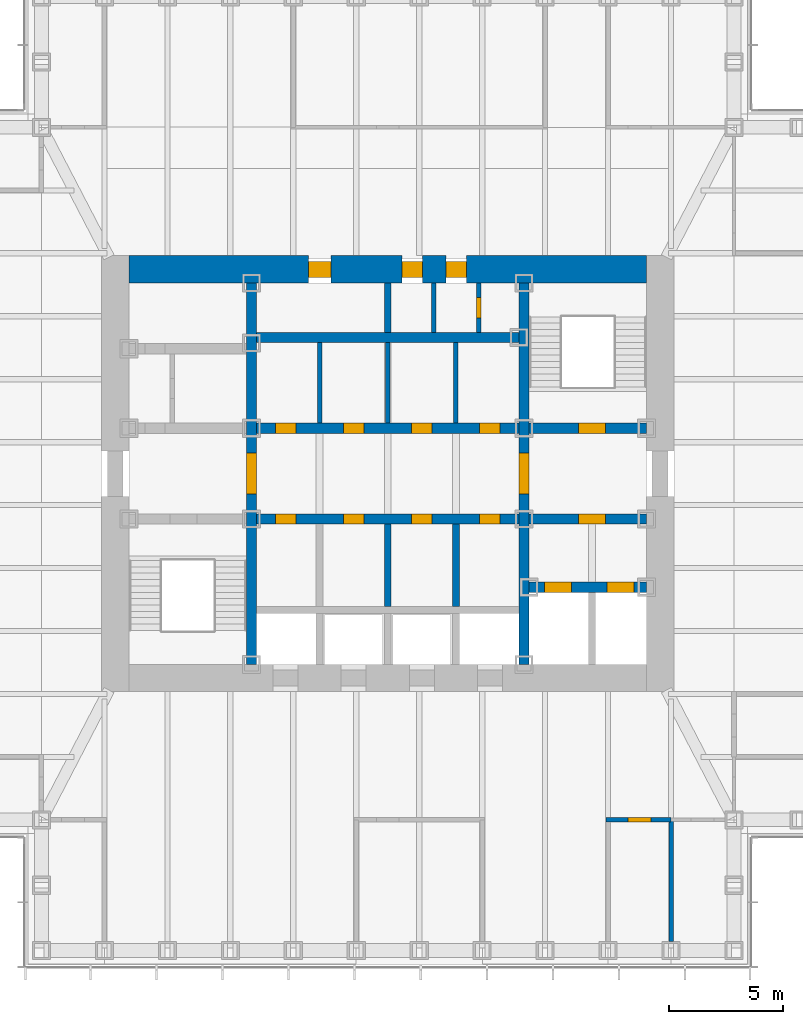
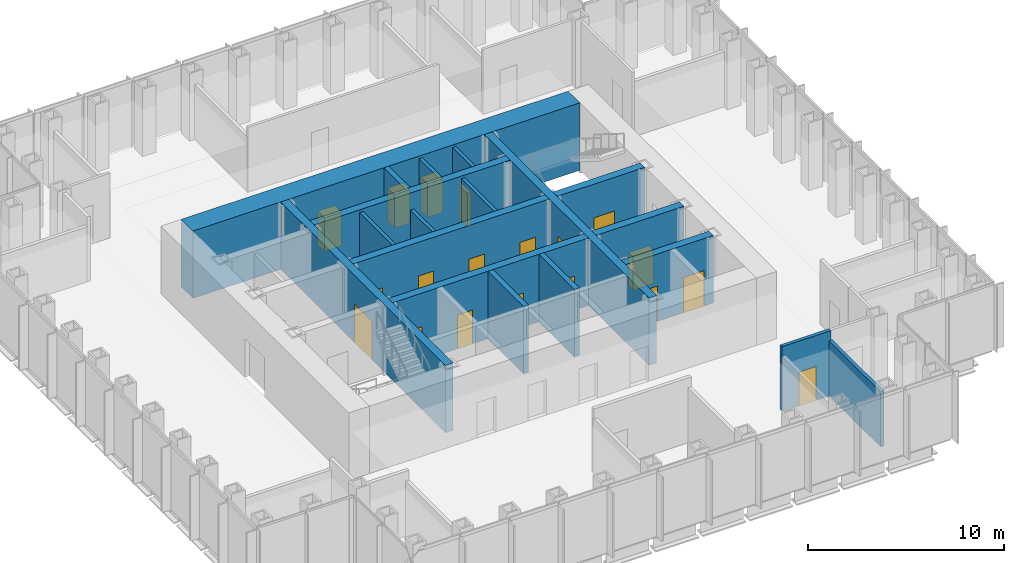
# One storey, part 9 of 16: 19 doors, 19 walls, 19 openings.
"""IFC4 building model written with IfcOpenShell, lengths in metres."""

from ifc_helpers import new_model, si_unit, direction, frame, frame_2d, origin, place, context, subcontext, project, spatial, rectangle, extrude, material, layer, layer_set, type_object, element, fill, save


model = new_model("IFC4")

# Units and contexts
model_context = context("Model", 3, precision=1e-05, world=origin(), true_north=direction((0.0, 1.0)))
body_context = subcontext(model_context, "Body", "Model", "MODEL_VIEW")
ifc_project = project(units=[si_unit("LENGTHUNIT", "METRE"), si_unit("AREAUNIT", "SQUARE_METRE"), si_unit("VOLUMEUNIT", "CUBIC_METRE"), si_unit("PLANEANGLEUNIT", "RADIAN"), si_unit("MASSUNIT", "GRAM", prefix="KILO")], contexts=[model_context])

# Site, building, storey
site_placement = place(None, origin())
site = spatial("IfcSite", under=ifc_project, at=site_placement, CompositionType="ELEMENT")
building_placement = place(site_placement, origin())
building = spatial("IfcBuilding", under=site, at=building_placement, Name="Daluyong Arena Tower", CompositionType="ELEMENT")
storey_placement = place(building_placement, frame((0.0, 0.0, 258.699951171875)))
storey = spatial("IfcBuildingStorey", under=building, at=storey_placement, Name="L58", CompositionType="ELEMENT", Elevation=258.699951171875)

# Wall, opening, door
ifc_material_1 = material(Name="Concrete fc' 45 MPa", Category="concrete")
ifc_layer_1 = layer(ifc_material_1, 0.449951171875)
ifc_layer_set_1 = layer_set([ifc_layer_1], Name="Concrete fc' 45 MPa")
wall_type_1 = type_object("IfcWallType", Name="Core inner wall 450", PredefinedType="SHEAR", material=ifc_layer_set_1)
wall_1_placement = place(storey_placement, frame((50.0, 71.60009765625, 0.0), z_axis=(0.0, 0.0, 1.0), x_axis=(0.0, 1.0, 0.0)))
wall_1 = element("IfcWall", 1, at=wall_1_placement, inside=storey, type_object=wall_type_1, Name="core inner wall at L58", PredefinedType="SHEAR", context=body_context, shape_type="SweptSolid", body=[
    extrude(rectangle(XDim=16.7998046875, YDim=0.449951171875, at=frame_2d((8.39990234375, 0.0))), origin(), (0.0, 0.0, 1.0), 4.199951171875),
])
opening_1_placement = place(wall_1_placement, frame((7.5, 0.0, 0.0)))
opening_1 = element("IfcOpeningElement", 2, at=opening_1_placement, cuts=wall_1, Name="Opening 58020", PredefinedType="OPENING", context=body_context, shape_type="SweptSolid", body=[
    extrude(rectangle(XDim=1.800048828125, YDim=2.39990234375, at=frame_2d((0.89990234375, 1.199951171875))), frame((0.0, 0.23486328125, 0.0), z_axis=(0.0, -1.0, 0.0), x_axis=(1.0, 0.0, 0.0)), (0.0, 0.0, 1.0), 0.469970703125),
])
ifc_material_2 = material(Name="Steel door, fire rated", Category="steel")
door_type_1 = type_object("IfcDoorType", Name="Lift lobby opening door 1800", OperationType="DOUBLE_DOOR_SINGLE_SWING", PredefinedType="DOOR", material=ifc_material_2)
door_1_placement = place(opening_1_placement, origin())
door_1 = element("IfcDoor", 3, at=door_1_placement, inside=storey, type_object=door_type_1, Name="lift lobby door west 58020", OperationType="DOUBLE_DOOR_SINGLE_SWING", OverallHeight=2.39990234375, OverallWidth=1.800048828125, PredefinedType="DOOR", context=body_context, shape_type="SweptSolid", body=[
    extrude(rectangle(XDim=1.800048828125, YDim=2.39990234375, at=frame_2d((0.89990234375, 1.199951171875))), frame((0.0, 0.224609375, 0.0), z_axis=(0.0, -1.0, 0.0), x_axis=(1.0, 0.0, 0.0)), (0.0, 0.0, 1.0), 0.449462890625),
])
fill(opening_1, door_1)

wall_2_placement = place(storey_placement, frame((62.0, 71.60009765625, 0.0), z_axis=(0.0, 0.0, 1.0), x_axis=(0.0, 1.0, 0.0)))
wall_2 = element("IfcWall", 4, at=wall_2_placement, inside=storey, type_object=wall_type_1, Name="core inner wall at L58", PredefinedType="SHEAR", context=body_context, shape_type="SweptSolid", body=[
    extrude(rectangle(XDim=16.7998046875, YDim=0.449951171875, at=frame_2d((8.39990234375, 0.0))), origin(), (0.0, 0.0, 1.0), 4.199951171875),
])
opening_2_placement = place(wall_2_placement, frame((7.5, 0.0, 0.0)))
opening_2 = element("IfcOpeningElement", 5, at=opening_2_placement, cuts=wall_2, Name="Opening 58021", PredefinedType="OPENING", context=body_context, shape_type="SweptSolid", body=[
    extrude(rectangle(XDim=1.800048828125, YDim=2.39990234375, at=frame_2d((0.89990234375, 1.199951171875))), frame((0.0, 0.23486328125, 0.0), z_axis=(0.0, -1.0, 0.0), x_axis=(1.0, 0.0, 0.0)), (0.0, 0.0, 1.0), 0.469970703125),
])
door_2_placement = place(opening_2_placement, origin())
door_2 = element("IfcDoor", 6, at=door_2_placement, inside=storey, type_object=door_type_1, Name="lift lobby door east 58021", OperationType="DOUBLE_DOOR_SINGLE_SWING", OverallHeight=2.39990234375, OverallWidth=1.800048828125, PredefinedType="DOOR", context=body_context, shape_type="SweptSolid", body=[
    extrude(rectangle(XDim=1.800048828125, YDim=2.39990234375, at=frame_2d((0.89990234375, 1.199951171875))), frame((0.0, 0.224609375, 0.0), z_axis=(0.0, -1.0, 0.0), x_axis=(1.0, 0.0, 0.0)), (0.0, 0.0, 1.0), 0.449462890625),
])
fill(opening_2, door_2)

# Wall, openings, doors
wall_3_placement = place(storey_placement, frame((62.22509765625, 75.0, 0.0), z_axis=(0.0, 0.0, 1.0), x_axis=(1.0, 0.0, 0.0)))
wall_3 = element("IfcWall", 7, at=wall_3_placement, inside=storey, type_object=wall_type_1, Name="core inner wall at L58", PredefinedType="SHEAR", context=body_context, shape_type="SweptSolid", body=[
    extrude(rectangle(XDim=5.1748046875, YDim=0.449951171875, at=frame_2d((2.58740234375, 0.0))), origin(), (0.0, 0.0, 1.0), 4.199951171875),
])
opening_3_placement = place(wall_3_placement, frame((0.675048828125, 0.0, 0.0)))
opening_3 = element("IfcOpeningElement", 8, at=opening_3_placement, cuts=wall_3, Name="Opening 58027", PredefinedType="OPENING", context=body_context, shape_type="SweptSolid", body=[
    extrude(rectangle(XDim=1.199951171875, YDim=2.199951171875, at=frame_2d((0.60009765625, 1.10009765625))), frame((0.0, 0.23486328125, 0.0), z_axis=(0.0, -1.0, 0.0), x_axis=(1.0, 0.0, 0.0)), (0.0, 0.0, 1.0), 0.469970703125),
])
opening_4_placement = place(wall_3_placement, frame((3.425048828125, 0.0, 0.0)))
opening_4 = element("IfcOpeningElement", 9, at=opening_4_placement, cuts=wall_3, Name="Opening 58028", PredefinedType="OPENING", context=body_context, shape_type="SweptSolid", body=[
    extrude(rectangle(XDim=1.199951171875, YDim=2.199951171875, at=frame_2d((0.60009765625, 1.10009765625))), frame((0.0, 0.23486328125, 0.0), z_axis=(0.0, -1.0, 0.0), x_axis=(1.0, 0.0, 0.0)), (0.0, 0.0, 1.0), 0.469970703125),
])
ifc_material_3 = material(Name="Steel door, fire rated", Category="steel")
door_type_2 = type_object("IfcDoorType", Name="Firefighting lift landing door 1200", OperationType="SLIDING_TO_LEFT", PredefinedType="DOOR", material=ifc_material_3)
door_3_placement = place(opening_3_placement, origin())
door_3 = element("IfcDoor", 10, at=door_3_placement, inside=storey, type_object=door_type_2, Name="firefighting lift landing door F1 58027", OperationType="SLIDING_TO_LEFT", OverallHeight=2.199951171875, OverallWidth=1.199951171875, PredefinedType="DOOR", context=body_context, shape_type="SweptSolid", body=[
    extrude(rectangle(XDim=1.199951171875, YDim=2.199951171875, at=frame_2d((0.60009765625, 1.10009765625))), frame((0.0, 0.224609375, 0.0), z_axis=(0.0, -1.0, 0.0), x_axis=(1.0, 0.0, 0.0)), (0.0, 0.0, 1.0), 0.449462890625),
])
fill(opening_3, door_3)
door_4_placement = place(opening_4_placement, origin())
door_4 = element("IfcDoor", 11, at=door_4_placement, inside=storey, type_object=door_type_2, Name="firefighting lift landing door F2 58028", OperationType="SLIDING_TO_LEFT", OverallHeight=2.199951171875, OverallWidth=1.199951171875, PredefinedType="DOOR", context=body_context, shape_type="SweptSolid", body=[
    extrude(rectangle(XDim=1.199951171875, YDim=2.199951171875, at=frame_2d((0.60009765625, 1.10009765625))), frame((0.0, 0.224609375, 0.0), z_axis=(0.0, -1.0, 0.0), x_axis=(1.0, 0.0, 0.0)), (0.0, 0.0, 1.0), 0.449462890625),
])
fill(opening_4, door_4)

# Wall, opening, door
wall_4_placement = place(storey_placement, frame((62.22509765625, 78.0, 0.0), z_axis=(0.0, 0.0, 1.0), x_axis=(1.0, 0.0, 0.0)))
wall_4 = element("IfcWall", 12, at=wall_4_placement, inside=storey, type_object=wall_type_1, Name="core inner wall at L58", PredefinedType="SHEAR", context=body_context, shape_type="SweptSolid", body=[
    extrude(rectangle(XDim=5.1748046875, YDim=0.449951171875, at=frame_2d((2.58740234375, 0.0))), origin(), (0.0, 0.0, 1.0), 4.199951171875),
])
opening_5_placement = place(wall_4_placement, frame((2.175048828125, 0.0, 0.0)))
opening_5 = element("IfcOpeningElement", 13, at=opening_5_placement, cuts=wall_4, Name="Opening 58022", PredefinedType="OPENING", context=body_context, shape_type="SweptSolid", body=[
    extrude(rectangle(XDim=1.199951171875, YDim=2.10009765625, at=frame_2d((0.60009765625, 1.050048828125))), frame((0.0, 0.23486328125, 0.0), z_axis=(0.0, -1.0, 0.0), x_axis=(1.0, 0.0, 0.0)), (0.0, 0.0, 1.0), 0.469970703125),
])
ifc_material_4 = material(Name="Steel door, fire rated", Category="steel")
door_type_3 = type_object("IfcDoorType", Name="Firefighting lobby door 1200", OperationType="SINGLE_SWING_RIGHT", PredefinedType="DOOR", material=ifc_material_4)
door_5_placement = place(opening_5_placement, origin())
door_5 = element("IfcDoor", 14, at=door_5_placement, inside=storey, type_object=door_type_3, Name="firefighting lobby door 58022", OperationType="SINGLE_SWING_RIGHT", OverallHeight=2.10009765625, OverallWidth=1.199951171875, PredefinedType="DOOR", context=body_context, shape_type="SweptSolid", body=[
    extrude(rectangle(XDim=1.199951171875, YDim=2.10009765625, at=frame_2d((0.60009765625, 1.050048828125))), frame((0.0, 0.224609375, 0.0), z_axis=(0.0, -1.0, 0.0), x_axis=(1.0, 0.0, 0.0)), (0.0, 0.0, 1.0), 0.449462890625),
])
fill(opening_5, door_5)

wall_5_placement = place(storey_placement, frame((62.22509765625, 82.0, 0.0), z_axis=(0.0, 0.0, 1.0), x_axis=(1.0, 0.0, 0.0)))
wall_5 = element("IfcWall", 15, at=wall_5_placement, inside=storey, type_object=wall_type_1, Name="core inner wall at L58", PredefinedType="SHEAR", context=body_context, shape_type="SweptSolid", body=[
    extrude(rectangle(XDim=5.1748046875, YDim=0.449951171875, at=frame_2d((2.58740234375, 0.0))), origin(), (0.0, 0.0, 1.0), 4.199951171875),
])
opening_6_placement = place(wall_5_placement, frame((2.175048828125, 0.0, 0.0)))
opening_6 = element("IfcOpeningElement", 16, at=opening_6_placement, cuts=wall_5, Name="Opening 58017", PredefinedType="OPENING", context=body_context, shape_type="SweptSolid", body=[
    extrude(rectangle(XDim=1.199951171875, YDim=2.10009765625, at=frame_2d((0.60009765625, 1.050048828125))), frame((0.0, 0.23486328125, 0.0), z_axis=(0.0, -1.0, 0.0), x_axis=(1.0, 0.0, 0.0)), (0.0, 0.0, 1.0), 0.469970703125),
])
ifc_material_5 = material(Name="Steel door, fire rated", Category="steel")
door_type_4 = type_object("IfcDoorType", Name="Stair door 1200", OperationType="SINGLE_SWING_LEFT", PredefinedType="DOOR", material=ifc_material_5)
door_6_placement = place(opening_6_placement, origin())
door_6 = element("IfcDoor", 17, at=door_6_placement, inside=storey, type_object=door_type_4, Name="stair B door 58017", OperationType="SINGLE_SWING_LEFT", OverallHeight=2.10009765625, OverallWidth=1.199951171875, PredefinedType="DOOR", context=body_context, shape_type="SweptSolid", body=[
    extrude(rectangle(XDim=1.199951171875, YDim=2.10009765625, at=frame_2d((0.60009765625, 1.050048828125))), frame((0.0, 0.224609375, 0.0), z_axis=(0.0, -1.0, 0.0), x_axis=(1.0, 0.0, 0.0)), (0.0, 0.0, 1.0), 0.449462890625),
])
fill(opening_6, door_6)

# Wall, openings, doors
wall_6_placement = place(storey_placement, frame((50.22509765625, 78.0, 0.0), z_axis=(0.0, 0.0, 1.0), x_axis=(1.0, 0.0, 0.0)))
wall_6 = element("IfcWall", 18, at=wall_6_placement, inside=storey, type_object=wall_type_1, Name="core inner wall at L58", PredefinedType="SHEAR", context=body_context, shape_type="SweptSolid", body=[
    extrude(rectangle(XDim=11.5498046875, YDim=0.449951171875, at=frame_2d((5.77490234375, 0.0))), origin(), (0.0, 0.0, 1.0), 4.199951171875),
])
opening_7_placement = place(wall_6_placement, frame((0.824951171875, 0.0, 0.0)))
opening_7 = element("IfcOpeningElement", 19, at=opening_7_placement, cuts=wall_6, Name="Opening 58008", PredefinedType="OPENING", context=body_context, shape_type="SweptSolid", body=[
    extrude(rectangle(XDim=0.89990234375, YDim=2.10009765625, at=frame_2d((0.449951171875, 1.050048828125))), frame((0.0, 0.23486328125, 0.0), z_axis=(0.0, -1.0, 0.0), x_axis=(1.0, 0.0, 0.0)), (0.0, 0.0, 1.0), 0.469970703125),
])
opening_8_placement = place(wall_6_placement, frame((3.824951171875, 0.0, 0.0)))
opening_8 = element("IfcOpeningElement", 20, at=opening_8_placement, cuts=wall_6, Name="Opening 58009", PredefinedType="OPENING", context=body_context, shape_type="SweptSolid", body=[
    extrude(rectangle(XDim=0.89990234375, YDim=2.10009765625, at=frame_2d((0.449951171875, 1.050048828125))), frame((0.0, 0.23486328125, 0.0), z_axis=(0.0, -1.0, 0.0), x_axis=(1.0, 0.0, 0.0)), (0.0, 0.0, 1.0), 0.469970703125),
])
opening_9_placement = place(wall_6_placement, frame((6.824951171875, 0.0, 0.0)))
opening_9 = element("IfcOpeningElement", 21, at=opening_9_placement, cuts=wall_6, Name="Opening 58010", PredefinedType="OPENING", context=body_context, shape_type="SweptSolid", body=[
    extrude(rectangle(XDim=0.89990234375, YDim=2.10009765625, at=frame_2d((0.449951171875, 1.050048828125))), frame((0.0, 0.23486328125, 0.0), z_axis=(0.0, -1.0, 0.0), x_axis=(1.0, 0.0, 0.0)), (0.0, 0.0, 1.0), 0.469970703125),
])
opening_10_placement = place(wall_6_placement, frame((9.824951171875, 0.0, 0.0)))
opening_10 = element("IfcOpeningElement", 22, at=opening_10_placement, cuts=wall_6, Name="Opening 58011", PredefinedType="OPENING", context=body_context, shape_type="SweptSolid", body=[
    extrude(rectangle(XDim=0.89990234375, YDim=2.10009765625, at=frame_2d((0.449951171875, 1.050048828125))), frame((0.0, 0.23486328125, 0.0), z_axis=(0.0, -1.0, 0.0), x_axis=(1.0, 0.0, 0.0)), (0.0, 0.0, 1.0), 0.469970703125),
])
ifc_material_6 = material(Name="Steel door, fire rated", Category="steel")
door_type_5 = type_object("IfcDoorType", Name="Core room door 900", OperationType="SINGLE_SWING_LEFT", PredefinedType="DOOR", material=ifc_material_6)
door_7_placement = place(opening_7_placement, origin())
door_7 = element("IfcDoor", 23, at=door_7_placement, inside=storey, type_object=door_type_5, Name="tea point door 58008", OperationType="SINGLE_SWING_LEFT", OverallHeight=2.10009765625, OverallWidth=0.89990234375, PredefinedType="DOOR", context=body_context, shape_type="SweptSolid", body=[
    extrude(rectangle(XDim=0.89990234375, YDim=2.10009765625, at=frame_2d((0.449951171875, 1.050048828125))), frame((0.0, 0.224609375, 0.0), z_axis=(0.0, -1.0, 0.0), x_axis=(1.0, 0.0, 0.0)), (0.0, 0.0, 1.0), 0.449462890625),
])
fill(opening_7, door_7)
door_8_placement = place(opening_8_placement, origin())
door_8 = element("IfcDoor", 24, at=door_8_placement, inside=storey, type_object=door_type_5, Name="staff pantry door 58009", OperationType="SINGLE_SWING_LEFT", OverallHeight=2.10009765625, OverallWidth=0.89990234375, PredefinedType="DOOR", context=body_context, shape_type="SweptSolid", body=[
    extrude(rectangle(XDim=0.89990234375, YDim=2.10009765625, at=frame_2d((0.449951171875, 1.050048828125))), frame((0.0, 0.224609375, 0.0), z_axis=(0.0, -1.0, 0.0), x_axis=(1.0, 0.0, 0.0)), (0.0, 0.0, 1.0), 0.449462890625),
])
fill(opening_8, door_8)
ifc_material_7 = material(Name="Steel door, fire rated", Category="steel")
door_type_6 = type_object("IfcDoorType", Name="Core store door 900", OperationType="SINGLE_SWING_LEFT", PredefinedType="DOOR", material=ifc_material_7)
door_9_placement = place(opening_9_placement, origin())
door_9 = element("IfcDoor", 25, at=door_9_placement, inside=storey, type_object=door_type_6, Name="tenant store door 58010", OperationType="SINGLE_SWING_LEFT", OverallHeight=2.10009765625, OverallWidth=0.89990234375, PredefinedType="DOOR", context=body_context, shape_type="SweptSolid", body=[
    extrude(rectangle(XDim=0.89990234375, YDim=2.10009765625, at=frame_2d((0.449951171875, 1.050048828125))), frame((0.0, 0.224609375, 0.0), z_axis=(0.0, -1.0, 0.0), x_axis=(1.0, 0.0, 0.0)), (0.0, 0.0, 1.0), 0.449462890625),
])
fill(opening_9, door_9)
door_10_placement = place(opening_10_placement, origin())
door_10 = element("IfcDoor", 26, at=door_10_placement, inside=storey, type_object=door_type_6, Name="stationery store door 58011", OperationType="SINGLE_SWING_LEFT", OverallHeight=2.10009765625, OverallWidth=0.89990234375, PredefinedType="DOOR", context=body_context, shape_type="SweptSolid", body=[
    extrude(rectangle(XDim=0.89990234375, YDim=2.10009765625, at=frame_2d((0.449951171875, 1.050048828125))), frame((0.0, 0.224609375, 0.0), z_axis=(0.0, -1.0, 0.0), x_axis=(1.0, 0.0, 0.0)), (0.0, 0.0, 1.0), 0.449462890625),
])
fill(opening_10, door_10)

wall_7_placement = place(storey_placement, frame((50.22509765625, 82.0, 0.0), z_axis=(0.0, 0.0, 1.0), x_axis=(1.0, 0.0, 0.0)))
wall_7 = element("IfcWall", 27, at=wall_7_placement, inside=storey, type_object=wall_type_1, Name="core inner wall at L58", PredefinedType="SHEAR", context=body_context, shape_type="SweptSolid", body=[
    extrude(rectangle(XDim=11.5498046875, YDim=0.449951171875, at=frame_2d((5.77490234375, 0.0))), origin(), (0.0, 0.0, 1.0), 4.199951171875),
])
opening_11_placement = place(wall_7_placement, frame((0.824951171875, 0.0, 0.0)))
opening_11 = element("IfcOpeningElement", 28, at=opening_11_placement, cuts=wall_7, Name="Opening 58012", PredefinedType="OPENING", context=body_context, shape_type="SweptSolid", body=[
    extrude(rectangle(XDim=0.89990234375, YDim=2.10009765625, at=frame_2d((0.449951171875, 1.050048828125))), frame((0.0, 0.23486328125, 0.0), z_axis=(0.0, -1.0, 0.0), x_axis=(1.0, 0.0, 0.0)), (0.0, 0.0, 1.0), 0.469970703125),
])
opening_12_placement = place(wall_7_placement, frame((3.824951171875, 0.0, 0.0)))
opening_12 = element("IfcOpeningElement", 29, at=opening_12_placement, cuts=wall_7, Name="Opening 58013", PredefinedType="OPENING", context=body_context, shape_type="SweptSolid", body=[
    extrude(rectangle(XDim=0.89990234375, YDim=2.10009765625, at=frame_2d((0.449951171875, 1.050048828125))), frame((0.0, 0.23486328125, 0.0), z_axis=(0.0, -1.0, 0.0), x_axis=(1.0, 0.0, 0.0)), (0.0, 0.0, 1.0), 0.469970703125),
])
opening_13_placement = place(wall_7_placement, frame((6.824951171875, 0.0, 0.0)))
opening_13 = element("IfcOpeningElement", 30, at=opening_13_placement, cuts=wall_7, Name="Opening 58014", PredefinedType="OPENING", context=body_context, shape_type="SweptSolid", body=[
    extrude(rectangle(XDim=0.89990234375, YDim=2.10009765625, at=frame_2d((0.449951171875, 1.050048828125))), frame((0.0, 0.23486328125, 0.0), z_axis=(0.0, -1.0, 0.0), x_axis=(1.0, 0.0, 0.0)), (0.0, 0.0, 1.0), 0.469970703125),
])
opening_14_placement = place(wall_7_placement, frame((9.824951171875, 0.0, 0.0)))
opening_14 = element("IfcOpeningElement", 31, at=opening_14_placement, cuts=wall_7, Name="Opening 58015", PredefinedType="OPENING", context=body_context, shape_type="SweptSolid", body=[
    extrude(rectangle(XDim=0.89990234375, YDim=2.10009765625, at=frame_2d((0.449951171875, 1.050048828125))), frame((0.0, 0.23486328125, 0.0), z_axis=(0.0, -1.0, 0.0), x_axis=(1.0, 0.0, 0.0)), (0.0, 0.0, 1.0), 0.469970703125),
])
door_11_placement = place(opening_11_placement, origin())
door_11 = element("IfcDoor", 32, at=door_11_placement, inside=storey, type_object=door_type_5, Name="mail room door 58012", OperationType="SINGLE_SWING_LEFT", OverallHeight=2.10009765625, OverallWidth=0.89990234375, PredefinedType="DOOR", context=body_context, shape_type="SweptSolid", body=[
    extrude(rectangle(XDim=0.89990234375, YDim=2.10009765625, at=frame_2d((0.449951171875, 1.050048828125))), frame((0.0, 0.224609375, 0.0), z_axis=(0.0, -1.0, 0.0), x_axis=(1.0, 0.0, 0.0)), (0.0, 0.0, 1.0), 0.449462890625),
])
fill(opening_11, door_11)
door_12_placement = place(opening_12_placement, origin())
door_12 = element("IfcDoor", 33, at=door_12_placement, inside=storey, type_object=door_type_5, Name="vending room door 58013", OperationType="SINGLE_SWING_LEFT", OverallHeight=2.10009765625, OverallWidth=0.89990234375, PredefinedType="DOOR", context=body_context, shape_type="SweptSolid", body=[
    extrude(rectangle(XDim=0.89990234375, YDim=2.10009765625, at=frame_2d((0.449951171875, 1.050048828125))), frame((0.0, 0.224609375, 0.0), z_axis=(0.0, -1.0, 0.0), x_axis=(1.0, 0.0, 0.0)), (0.0, 0.0, 1.0), 0.449462890625),
])
fill(opening_12, door_12)
door_13_placement = place(opening_14_placement, origin())
door_13 = element("IfcDoor", 34, at=door_13_placement, inside=storey, type_object=door_type_6, Name="facilities store door 58015", OperationType="SINGLE_SWING_LEFT", OverallHeight=2.10009765625, OverallWidth=0.89990234375, PredefinedType="DOOR", context=body_context, shape_type="SweptSolid", body=[
    extrude(rectangle(XDim=0.89990234375, YDim=2.10009765625, at=frame_2d((0.449951171875, 1.050048828125))), frame((0.0, 0.224609375, 0.0), z_axis=(0.0, -1.0, 0.0), x_axis=(1.0, 0.0, 0.0)), (0.0, 0.0, 1.0), 0.449462890625),
])
fill(opening_14, door_13)
ifc_material_8 = material(Name="Steel door, fire rated", Category="steel")
door_type_7 = type_object("IfcDoorType", Name="Plant room door 900", OperationType="SINGLE_SWING_LEFT", PredefinedType="DOOR", material=ifc_material_8)
door_14_placement = place(opening_13_placement, origin())
door_14 = element("IfcDoor", 35, at=door_14_placement, inside=storey, type_object=door_type_7, Name="comms room door 58014", OperationType="SINGLE_SWING_LEFT", OverallHeight=2.10009765625, OverallWidth=0.89990234375, PredefinedType="DOOR", context=body_context, shape_type="SweptSolid", body=[
    extrude(rectangle(XDim=0.89990234375, YDim=2.10009765625, at=frame_2d((0.449951171875, 1.050048828125))), frame((0.0, 0.224609375, 0.0), z_axis=(0.0, -1.0, 0.0), x_axis=(1.0, 0.0, 0.0)), (0.0, 0.0, 1.0), 0.449462890625),
])
fill(opening_13, door_14)

# Wall
wall_8_placement = place(storey_placement, frame((50.22509765625, 86.0, 0.0), z_axis=(0.0, 0.0, 1.0), x_axis=(1.0, 0.0, 0.0)))
element("IfcWall", 36, at=wall_8_placement, inside=storey, type_object=wall_type_1, Name="core inner wall at L58", PredefinedType="SHEAR", context=body_context, shape_type="SweptSolid", body=[
    extrude(rectangle(XDim=11.5498046875, YDim=0.449951171875, at=frame_2d((5.77490234375, 0.0))), origin(), (0.0, 0.0, 1.0), 4.199951171875),
])

# Wall, openings, doors
ifc_material_9 = material(Name="Concrete fc' 60 MPa", Category="concrete")
ifc_layer_2 = layer(ifc_material_9, 1.199951171875)
ifc_layer_set_2 = layer_set([ifc_layer_2], Name="Concrete fc' 60 MPa")
wall_type_2 = type_object("IfcWallType", Name="Core wall 1200", PredefinedType="SHEAR", material=ifc_layer_set_2)
wall_9_placement = place(storey_placement, frame((44.60009765625, 89.0, 0.0), z_axis=(0.0, 0.0, 1.0), x_axis=(1.0, 0.0, 0.0)))
wall_9 = element("IfcWall", 37, at=wall_9_placement, inside=storey, type_object=wall_type_2, Name="core wall at L58", PredefinedType="SHEAR", context=body_context, shape_type="SweptSolid", body=[
    extrude(rectangle(XDim=22.7998046875, YDim=1.199951171875, at=frame_2d((11.39990234375, 0.0))), origin(), (0.0, 0.0, 1.0), 4.199951171875),
])
opening_15_placement = place(wall_9_placement, frame((7.89990234375, 0.0, 0.0)))
opening_15 = element("IfcOpeningElement", 38, at=opening_15_placement, cuts=wall_9, Name="Opening 58004", PredefinedType="OPENING", context=body_context, shape_type="SweptSolid", body=[
    extrude(rectangle(XDim=1.0, YDim=2.10009765625, at=frame_2d((0.5, 1.050048828125))), frame((0.0, 0.60986328125, 0.0), z_axis=(0.0, -1.0, 0.0), x_axis=(1.0, 0.0, 0.0)), (0.0, 0.0, 1.0), 1.219970703125),
])
opening_16_placement = place(wall_9_placement, frame((12.02490234375, 0.0, 0.0)))
opening_16 = element("IfcOpeningElement", 39, at=opening_16_placement, cuts=wall_9, Name="Opening 58005", PredefinedType="OPENING", context=body_context, shape_type="SweptSolid", body=[
    extrude(rectangle(XDim=0.89990234375, YDim=2.10009765625, at=frame_2d((0.449951171875, 1.050048828125))), frame((0.0, 0.60986328125, 0.0), z_axis=(0.0, -1.0, 0.0), x_axis=(1.0, 0.0, 0.0)), (0.0, 0.0, 1.0), 1.219970703125),
])
opening_17_placement = place(wall_9_placement, frame((13.96240234375, 0.0, 0.0)))
opening_17 = element("IfcOpeningElement", 40, at=opening_17_placement, cuts=wall_9, Name="Opening 58006", PredefinedType="OPENING", context=body_context, shape_type="SweptSolid", body=[
    extrude(rectangle(XDim=0.89990234375, YDim=2.10009765625, at=frame_2d((0.449951171875, 1.050048828125))), frame((0.0, 0.60986328125, 0.0), z_axis=(0.0, -1.0, 0.0), x_axis=(1.0, 0.0, 0.0)), (0.0, 0.0, 1.0), 1.219970703125),
])
ifc_material_10 = material(Name="Timber door", Category="wood")
door_type_8 = type_object("IfcDoorType", Name="Accessible toilet door 1000", OperationType="SINGLE_SWING_LEFT", PredefinedType="DOOR", material=ifc_material_10)
door_15_placement = place(opening_15_placement, origin())
door_15 = element("IfcDoor", 41, at=door_15_placement, inside=storey, type_object=door_type_8, Name="accessible toilet door 58004", OperationType="SINGLE_SWING_LEFT", OverallHeight=2.10009765625, OverallWidth=1.0, PredefinedType="DOOR", context=body_context, shape_type="SweptSolid", body=[
    extrude(rectangle(XDim=1.0, YDim=2.10009765625, at=frame_2d((0.5, 1.050048828125))), frame((0.0, 0.35009765625, 0.0), z_axis=(0.0, -1.0, 0.0), x_axis=(1.0, 0.0, 0.0)), (0.0, 0.0, 1.0), 0.699951171875),
])
fill(opening_15, door_15)
door_16_placement = place(opening_16_placement, origin())
door_16 = element("IfcDoor", 42, at=door_16_placement, inside=storey, type_object=door_type_5, Name="print room door 58005", OperationType="SINGLE_SWING_LEFT", OverallHeight=2.10009765625, OverallWidth=0.89990234375, PredefinedType="DOOR", context=body_context, shape_type="SweptSolid", body=[
    extrude(rectangle(XDim=0.89990234375, YDim=2.10009765625, at=frame_2d((0.449951171875, 1.050048828125))), frame((0.0, 0.35009765625, 0.0), z_axis=(0.0, -1.0, 0.0), x_axis=(1.0, 0.0, 0.0)), (0.0, 0.0, 1.0), 0.699951171875),
])
fill(opening_16, door_16)
door_17_placement = place(opening_17_placement, origin())
door_17 = element("IfcDoor", 43, at=door_17_placement, inside=storey, type_object=door_type_6, Name="cleaner's store door 58006", OperationType="SINGLE_SWING_LEFT", OverallHeight=2.10009765625, OverallWidth=0.89990234375, PredefinedType="DOOR", context=body_context, shape_type="SweptSolid", body=[
    extrude(rectangle(XDim=0.89990234375, YDim=2.10009765625, at=frame_2d((0.449951171875, 1.050048828125))), frame((0.0, 0.35009765625, 0.0), z_axis=(0.0, -1.0, 0.0), x_axis=(1.0, 0.0, 0.0)), (0.0, 0.0, 1.0), 0.699951171875),
])
fill(opening_17, door_17)

# Wall, opening, door
ifc_material_11 = material(Name="Concrete block partition, fire rated", Category="concrete")
ifc_layer_3 = layer(ifc_material_11, 0.199951171875)
ifc_layer_set_3 = layer_set([ifc_layer_3], Name="Concrete block partition, fire rated")
wall_type_3 = type_object("IfcWallType", Name="Fire-rated partition 200", PredefinedType="PARTITIONING", material=ifc_layer_set_3)
wall_10_placement = place(storey_placement, frame((60.0, 86.22509765625, 0.0), z_axis=(0.0, 0.0, 1.0), x_axis=(0.0, 1.0, 0.0)))
wall_10 = element("IfcWall", 44, at=wall_10_placement, inside=storey, type_object=wall_type_3, Name="electrical riser enclosure at L58", PredefinedType="PARTITIONING", context=body_context, shape_type="SweptSolid", body=[
    extrude(rectangle(XDim=2.1748046875, YDim=0.199951171875, at=frame_2d((1.08740234375, 0.0))), origin(), (0.0, 0.0, 1.0), 4.0400390625),
])
opening_18_placement = place(wall_10_placement, frame((0.637451171875, 0.0, 0.0)))
opening_18 = element("IfcOpeningElement", 45, at=opening_18_placement, cuts=wall_10, Name="Opening 58007", PredefinedType="OPENING", context=body_context, shape_type="SweptSolid", body=[
    extrude(rectangle(XDim=0.89990234375, YDim=2.10009765625, at=frame_2d((0.449951171875, 1.050048828125))), frame((0.0, 0.10986328125, 0.0), z_axis=(0.0, -1.0, 0.0), x_axis=(1.0, 0.0, 0.0)), (0.0, 0.0, 1.0), 0.219970703125),
])
ifc_material_12 = material(Name="Steel door, fire rated", Category="steel")
door_type_9 = type_object("IfcDoorType", Name="Riser door 900", OperationType="SINGLE_SWING_LEFT", PredefinedType="DOOR", material=ifc_material_12)
door_18_placement = place(opening_18_placement, origin())
door_18 = element("IfcDoor", 46, at=door_18_placement, inside=storey, type_object=door_type_9, Name="riser door 58007", OperationType="SINGLE_SWING_LEFT", OverallHeight=2.10009765625, OverallWidth=0.89990234375, PredefinedType="DOOR", context=body_context, shape_type="SweptSolid", body=[
    extrude(rectangle(XDim=0.89990234375, YDim=2.10009765625, at=frame_2d((0.449951171875, 1.050048828125))), frame((0.0, 0.099609375, 0.0), z_axis=(0.0, -1.0, 0.0), x_axis=(1.0, 0.0, 0.0)), (0.0, 0.0, 1.0), 0.199462890625),
])
fill(opening_18, door_18)

# Walls
wall_11_placement = place(storey_placement, frame((58.02490234375, 86.22509765625, 0.0), z_axis=(0.0, 0.0, 1.0), x_axis=(0.0, 1.0, 0.0)))
element("IfcWall", 47, at=wall_11_placement, inside=storey, type_object=wall_type_3, Name="core room partition at L58", PredefinedType="PARTITIONING", context=body_context, shape_type="SweptSolid", body=[
    extrude(rectangle(XDim=2.1748046875, YDim=0.199951171875, at=frame_2d((1.08740234375, 0.0))), origin(), (0.0, 0.0, 1.0), 4.0400390625),
])
wall_12_placement = place(storey_placement, frame((53.0, 82.22509765625, 0.0), z_axis=(0.0, 0.0, 1.0), x_axis=(0.0, 1.0, 0.0)))
element("IfcWall", 48, at=wall_12_placement, inside=storey, type_object=wall_type_3, Name="core room partition at L58", PredefinedType="PARTITIONING", context=body_context, shape_type="SweptSolid", body=[
    extrude(rectangle(XDim=3.5498046875, YDim=0.199951171875, at=frame_2d((1.77490234375, 0.0))), origin(), (0.0, 0.0, 1.0), 4.0400390625),
])
wall_13_placement = place(storey_placement, frame((56.0, 82.22509765625, 0.0), z_axis=(0.0, 0.0, 1.0), x_axis=(0.0, 1.0, 0.0)))
element("IfcWall", 49, at=wall_13_placement, inside=storey, type_object=wall_type_3, Name="core room partition at L58", PredefinedType="PARTITIONING", context=body_context, shape_type="SweptSolid", body=[
    extrude(rectangle(XDim=3.5498046875, YDim=0.199951171875, at=frame_2d((1.77490234375, 0.0))), origin(), (0.0, 0.0, 1.0), 3.14013671875),
])
wall_14_placement = place(storey_placement, frame((59.0, 82.22509765625, 0.0), z_axis=(0.0, 0.0, 1.0), x_axis=(0.0, 1.0, 0.0)))
element("IfcWall", 50, at=wall_14_placement, inside=storey, type_object=wall_type_3, Name="core room partition at L58", PredefinedType="PARTITIONING", context=body_context, shape_type="SweptSolid", body=[
    extrude(rectangle(XDim=3.5498046875, YDim=0.199951171875, at=frame_2d((1.77490234375, 0.0))), origin(), (0.0, 0.0, 1.0), 4.0400390625),
])
ifc_material_13 = material(Name="Concrete fc' 45 MPa", Category="concrete")
ifc_layer_4 = layer(ifc_material_13, 0.300048828125)
ifc_layer_set_4 = layer_set([ifc_layer_4], Name="Concrete fc' 45 MPa")
wall_type_4 = type_object("IfcWallType", Name="Lift shaft wall 300", PredefinedType="SHEAR", material=ifc_layer_set_4)
for number, where, z_axis, x_axis, name in (
    (51, (56.0, 74.14990234375, 0.0), (0.0, 0.0, 1.0), (0.0, 1.0, 0.0), "lift shaft wall at L58"),
    (52, (59.0, 74.14990234375, 0.0), (0.0, 0.0, 1.0), (0.0, 1.0, 0.0), "lift shaft wall at L58"),
):
    element("IfcWall", number, at=place(storey_placement, frame(where, z_axis=z_axis, x_axis=x_axis)), inside=storey, type_object=wall_type_4, Name=name, PredefinedType="SHEAR", context=body_context, shape_type="SweptSolid", body=[
        extrude(rectangle(XDim=3.625, YDim=0.300048828125, at=frame_2d((1.8125, 0.0))), origin(), (0.0, 0.0, 1.0), 4.199951171875),
    ])
wall_15_placement = place(storey_placement, frame((56.0, 86.22509765625, 0.0), z_axis=(0.0, 0.0, 1.0), x_axis=(0.0, 1.0, 0.0)))
element("IfcWall", 53, at=wall_15_placement, inside=storey, type_object=wall_type_4, Name="lift shaft wall at L58", PredefinedType="SHEAR", context=body_context, shape_type="SweptSolid", body=[
    extrude(rectangle(XDim=2.1748046875, YDim=0.300048828125, at=frame_2d((1.08740234375, 0.0))), origin(), (0.0, 0.0, 1.0), 4.199951171875),
])
ifc_material_14 = material(Name="Concrete block partition", Category="concrete")
ifc_layer_5 = layer(ifc_material_14, 0.199951171875)
ifc_layer_set_5 = layer_set([ifc_layer_5], Name="Concrete block partition")
wall_type_5 = type_object("IfcWallType", Name="Partition 200", PredefinedType="PARTITIONING", material=ifc_layer_set_5)
wall_16_placement = place(storey_placement, frame((68.477294921875, 59.39990234375, 0.0), z_axis=(0.0, 0.0, 1.0), x_axis=(0.0, 1.0, 0.0)))
element("IfcWall", 54, at=wall_16_placement, inside=storey, type_object=wall_type_5, Name="partition at L58", PredefinedType="PARTITIONING", context=body_context, shape_type="SweptSolid", body=[
    extrude(rectangle(XDim=5.35009765625, YDim=0.199951171875, at=frame_2d((2.675048828125, 0.0))), origin(), (0.0, 0.0, 1.0), 3.427978515625),
])

# Wall, opening, door
wall_17_placement = place(storey_placement, frame((65.6044921875, 64.75, 0.0), z_axis=(0.0, 0.0, 1.0), x_axis=(1.0, 0.0, 0.0)))
wall_17 = element("IfcWall", 55, at=wall_17_placement, inside=storey, type_object=wall_type_5, Name="partition at L58", PredefinedType="PARTITIONING", context=body_context, shape_type="SweptSolid", body=[
    extrude(rectangle(XDim=2.872802734375, YDim=0.199951171875, at=frame_2d((1.4365234375, 0.0))), origin(), (0.0, 0.0, 1.0), 4.0400390625),
])
opening_19_placement = place(wall_17_placement, frame((0.986328125, 0.0, 0.0)))
opening_19 = element("IfcOpeningElement", 56, at=opening_19_placement, cuts=wall_17, Name="Opening 58031", PredefinedType="OPENING", context=body_context, shape_type="SweptSolid", body=[
    extrude(rectangle(XDim=1.0, YDim=2.10009765625, at=frame_2d((0.5, 1.050048828125))), frame((0.0, 0.10986328125, 0.0), z_axis=(0.0, -1.0, 0.0), x_axis=(1.0, 0.0, 0.0)), (0.0, 0.0, 1.0), 0.219970703125),
])
ifc_material_15 = material(Name="Timber door", Category="wood")
door_type_10 = type_object("IfcDoorType", Name="Room door 1000", OperationType="SINGLE_SWING_LEFT", PredefinedType="DOOR", material=ifc_material_15)
door_19_placement = place(opening_19_placement, origin())
door_19 = element("IfcDoor", 57, at=door_19_placement, inside=storey, type_object=door_type_10, Name="copy room door 58031", OperationType="SINGLE_SWING_LEFT", OverallHeight=2.10009765625, OverallWidth=1.0, PredefinedType="DOOR", context=body_context, shape_type="SweptSolid", body=[
    extrude(rectangle(XDim=1.0, YDim=2.10009765625, at=frame_2d((0.5, 1.050048828125))), frame((0.0, 0.099609375, 0.0), z_axis=(0.0, -1.0, 0.0), x_axis=(1.0, 0.0, 0.0)), (0.0, 0.0, 1.0), 0.199462890625),
])
fill(opening_19, door_19)

save(model, "model.ifc")
